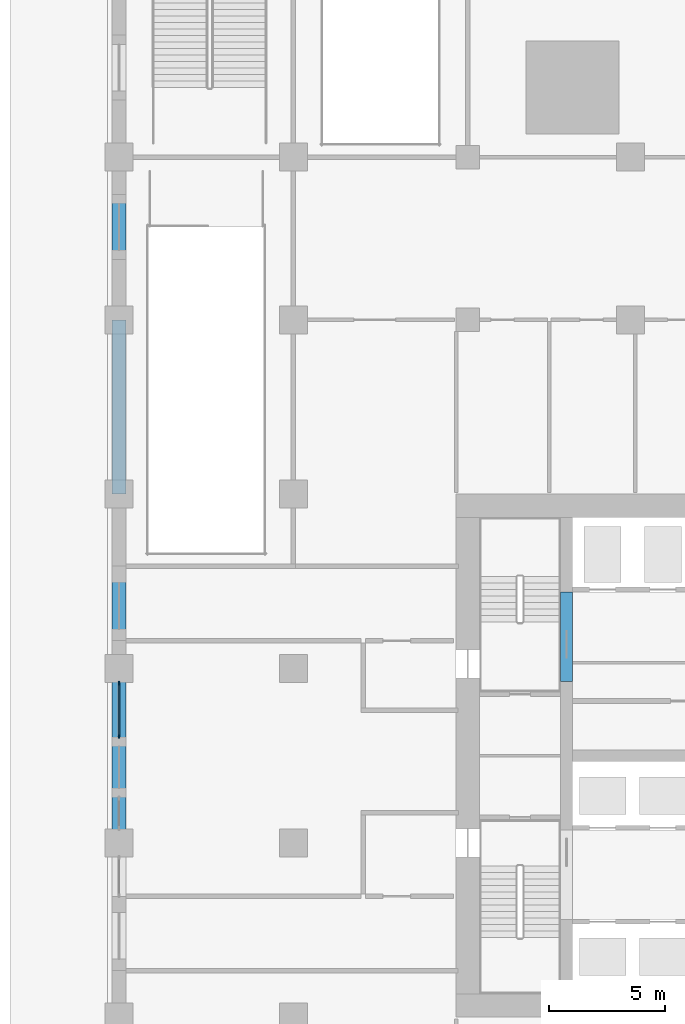
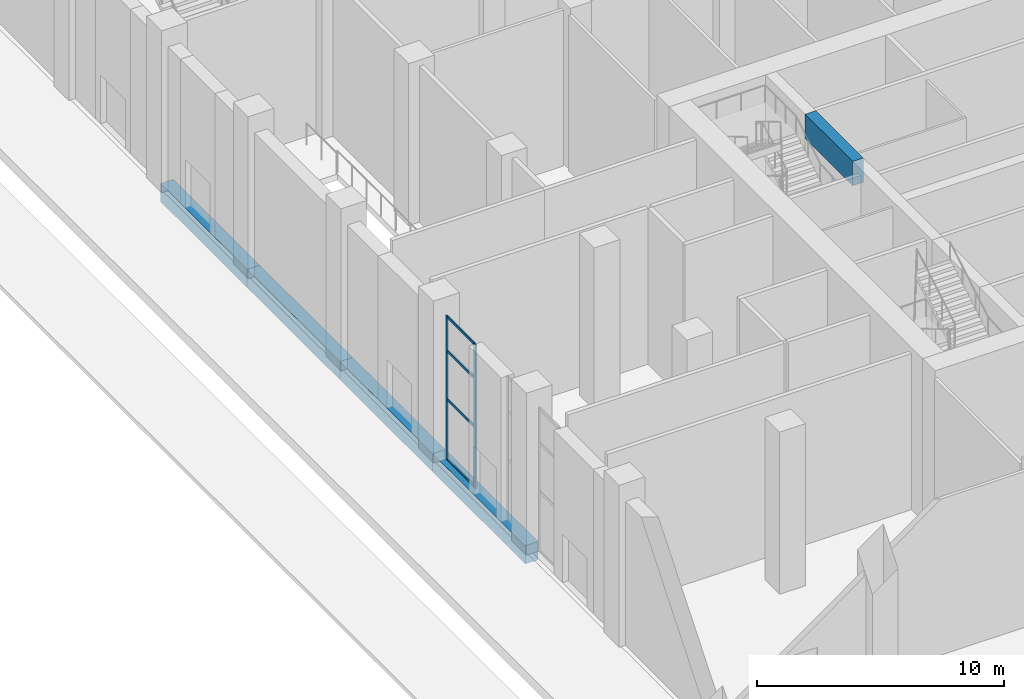
# One storey, part 11 of 57: 6 members, 5 beams, 1 element without a shape of its own.
"""IFC4 building model written with IfcOpenShell, lengths in metres."""

from ifc_helpers import new_model, si_unit, direction, frame, origin, origin_2d, place, context, subcontext, project, spatial, rectangle, extrude, material, layer, layer_set, material_profile, profile_set, type_object, element, aggregate, save


model = new_model("IFC4")

# Units and contexts
model_context = context("Model", 3, precision=1e-05, world=origin(), true_north=direction((0.0, 1.0)))
body_context = subcontext(model_context, "Body", "Model", "MODEL_VIEW")
ifc_project = project(units=[si_unit("LENGTHUNIT", "METRE"), si_unit("AREAUNIT", "SQUARE_METRE"), si_unit("VOLUMEUNIT", "CUBIC_METRE"), si_unit("PLANEANGLEUNIT", "RADIAN"), si_unit("MASSUNIT", "GRAM", prefix="KILO")], contexts=[model_context])

# Site, building, storey
site_placement = place(None, origin())
site = spatial("IfcSite", under=ifc_project, at=site_placement, CompositionType="ELEMENT")
building_placement = place(site_placement, origin())
building = spatial("IfcBuilding", under=site, at=building_placement, Name="Tamorin Gate", CompositionType="ELEMENT")
storey_placement = place(building_placement, origin())
storey = spatial("IfcBuildingStorey", under=building, at=storey_placement, Name="L00", CompositionType="ELEMENT", Elevation=0.0)

# Beams
ifc_material_1 = material(Name="Concrete C80/95", Category="concrete")
ifc_material_profile_1 = material_profile(ifc_material_1, rectangle(XDim=0.5, YDim=1.199951171875, at=origin_2d()), Name="RC 500x1200")
ifc_profile_set_1 = profile_set([ifc_material_profile_1], Name="Concrete C80/95")
beam_type_1 = type_object("IfcBeamType", Name="RC coupling beam 500x1200 C80/95", PredefinedType="BEAM", material=ifc_profile_set_1)
beam_1_placement = place(storey_placement, frame((34.75, 74.449951171875, 7.39990234375), z_axis=(0.0, 1.0, 0.0), x_axis=(-1.0, 0.0, 0.0)))
element("IfcBeam", 1, at=beam_1_placement, inside=storey, type_object=beam_type_1, Name="Coupling beam L00", PredefinedType="BEAM", context=body_context, shape_type="SweptSolid", body=[
    extrude(rectangle(XDim=0.5, YDim=1.199951171875, at=origin_2d()), origin(), (0.0, 0.0, 1.0), 3.85009765625),
])
ifc_material_2 = material(Name="Concrete C50/60", Category="concrete")
ifc_material_profile_2 = material_profile(ifc_material_2, rectangle(XDim=0.60009765625, YDim=0.89990234375, at=origin_2d()), Name="RC 600x900")
ifc_profile_set_2 = profile_set([ifc_material_profile_2], Name="Concrete C50/60")
beam_type_2 = type_object("IfcBeamType", Name="RC spandrel 600x900 C50/60", PredefinedType="BEAM", material=ifc_profile_set_2)
beam_2_placement = place(storey_placement, frame((15.5, 97.0, -0.449951171875), z_axis=(0.0, -1.0, 0.0), x_axis=(1.0, 0.0, 0.0)))
element("IfcBeam", 2, at=beam_2_placement, inside=storey, type_object=beam_type_2, Name="Spandrel beam L00", PredefinedType="BEAM", context=body_context, shape_type="SweptSolid", body=[
    extrude(rectangle(XDim=0.60009765625, YDim=0.89990234375, at=origin_2d()), origin(), (0.0, 0.0, 1.0), 7.0),
])
for number, where, z_axis, x_axis, name in (
    (3, (15.5, 90.0, -0.449951171875), (0.0, -1.0, 0.0), (1.0, 0.0, 0.0), "Spandrel beam L00"),
    (4, (15.5, 82.5, -0.449951171875), (0.0, -1.0, 0.0), (1.0, 0.0, 0.0), "Spandrel beam L00"),
    (5, (15.5, 75.0, -0.449951171875), (0.0, -1.0, 0.0), (1.0, 0.0, 0.0), "Spandrel beam L00"),
):
    element("IfcBeam", number, at=place(storey_placement, frame(where, z_axis=z_axis, x_axis=x_axis)), inside=storey, type_object=beam_type_2, Name=name, PredefinedType="BEAM", context=body_context, shape_type="SweptSolid", body=[
        extrude(rectangle(XDim=0.60009765625, YDim=0.89990234375, at=origin_2d()), origin(), (0.0, 0.0, 1.0), 7.5),
    ])

# Curtain wall, members
ifc_material_3 = material(Name="Aluminium and glass", Category="aluminium")
ifc_layer = layer(ifc_material_3, 0.199951171875)
ifc_layer_set = layer_set([ifc_layer], Name="Retail storefront system")
curtain_wall_type = type_object("IfcCurtainWallType", Name="Retail storefront system", PredefinedType="NOTDEFINED", material=ifc_layer_set)
curtain_wall_placement = place(storey_placement, origin())
curtain_wall = element("IfcCurtainWall", 6, at=curtain_wall_placement, inside=storey, type_object=curtain_wall_type, Name="Retail storefront system L00", PredefinedType="NOTDEFINED")
ifc_material_4 = material(Name="Aluminium", Category="aluminium")
ifc_material_profile_3 = material_profile(ifc_material_4, rectangle(XDim=0.06005859375, YDim=0.159912109375, at=origin_2d()), Name="RECT 60x160")
ifc_profile_set_3 = profile_set([ifc_material_profile_3], Name="Aluminium")
member_type_1 = type_object("IfcMemberType", Name="Storefront mullion 60x160", PredefinedType="MULLION", material=ifc_profile_set_3)
member_1_placement = place(storey_placement, frame((15.5, 72.080078125, 0.0), z_axis=(0.0, 0.0, 1.0), x_axis=(-1.0, 0.0, 0.0)))
member_1 = element("IfcMember", 7, at=member_1_placement, type_object=member_type_1, Name="CWP10 mullion 1", PredefinedType="MULLION", context=body_context, shape_type="SweptSolid", body=[
    extrude(rectangle(XDim=0.06005859375, YDim=0.159912109375, at=origin_2d()), origin(), (0.0, 0.0, 1.0), 7.10009765625),
])
member_2_placement = place(storey_placement, frame((15.5, 74.3701171875, 0.0), z_axis=(0.0, 0.0, 1.0), x_axis=(-1.0, 0.0, 0.0)))
member_2 = element("IfcMember", 8, at=member_2_placement, type_object=member_type_1, Name="CWP10 mullion 2", PredefinedType="MULLION", context=body_context, shape_type="SweptSolid", body=[
    extrude(rectangle(XDim=0.06005859375, YDim=0.159912109375, at=origin_2d()), origin(), (0.0, 0.0, 1.0), 7.10009765625),
])
ifc_material_profile_4 = material_profile(ifc_material_4, rectangle(XDim=0.06005859375, YDim=0.1201171875, at=origin_2d()), Name="RECT 60x120")
ifc_profile_set_4 = profile_set([ifc_material_profile_4], Name="Aluminium")
member_type_2 = type_object("IfcMemberType", Name="Storefront transom 60x120", PredefinedType="USERDEFINED", material=ifc_profile_set_4)
member_3_placement = place(storey_placement, frame((15.5, 72.110107421875, 0.030029296875), z_axis=(0.0, 1.0, 0.0), x_axis=(-1.0, 0.0, 0.0)))
member_3 = element("IfcMember", 9, at=member_3_placement, type_object=member_type_2, Name="CWP10 transom 1.1", ObjectType="TRANSOM", PredefinedType="USERDEFINED", context=body_context, shape_type="SweptSolid", body=[
    extrude(rectangle(XDim=0.06005859375, YDim=0.1201171875, at=origin_2d()), origin(), (0.0, 0.0, 1.0), 2.22998046875),
])
member_4_placement = place(storey_placement, frame((15.5, 72.110107421875, 3.0), z_axis=(0.0, 1.0, 0.0), x_axis=(-1.0, 0.0, 0.0)))
member_4 = element("IfcMember", 10, at=member_4_placement, type_object=member_type_2, Name="CWP10 transom 1.2", ObjectType="TRANSOM", PredefinedType="USERDEFINED", context=body_context, shape_type="SweptSolid", body=[
    extrude(rectangle(XDim=0.06005859375, YDim=0.1201171875, at=origin_2d()), origin(), (0.0, 0.0, 1.0), 2.22998046875),
])
member_5_placement = place(storey_placement, frame((15.5, 72.110107421875, 5.39990234375), z_axis=(0.0, 1.0, 0.0), x_axis=(-1.0, 0.0, 0.0)))
member_5 = element("IfcMember", 11, at=member_5_placement, type_object=member_type_2, Name="CWP10 transom 1.3", ObjectType="TRANSOM", PredefinedType="USERDEFINED", context=body_context, shape_type="SweptSolid", body=[
    extrude(rectangle(XDim=0.06005859375, YDim=0.1201171875, at=origin_2d()), origin(), (0.0, 0.0, 1.0), 2.22998046875),
])
member_6_placement = place(storey_placement, frame((15.5, 72.110107421875, 7.070068359375), z_axis=(0.0, 1.0, 0.0), x_axis=(-1.0, 0.0, 0.0)))
member_6 = element("IfcMember", 12, at=member_6_placement, type_object=member_type_2, Name="CWP10 transom 1.4", ObjectType="TRANSOM", PredefinedType="USERDEFINED", context=body_context, shape_type="SweptSolid", body=[
    extrude(rectangle(XDim=0.06005859375, YDim=0.1201171875, at=origin_2d()), origin(), (0.0, 0.0, 1.0), 2.22998046875),
])
aggregate(curtain_wall, [member_1, member_2, member_3, member_4, member_5, member_6])

save(model, "model.ifc")
